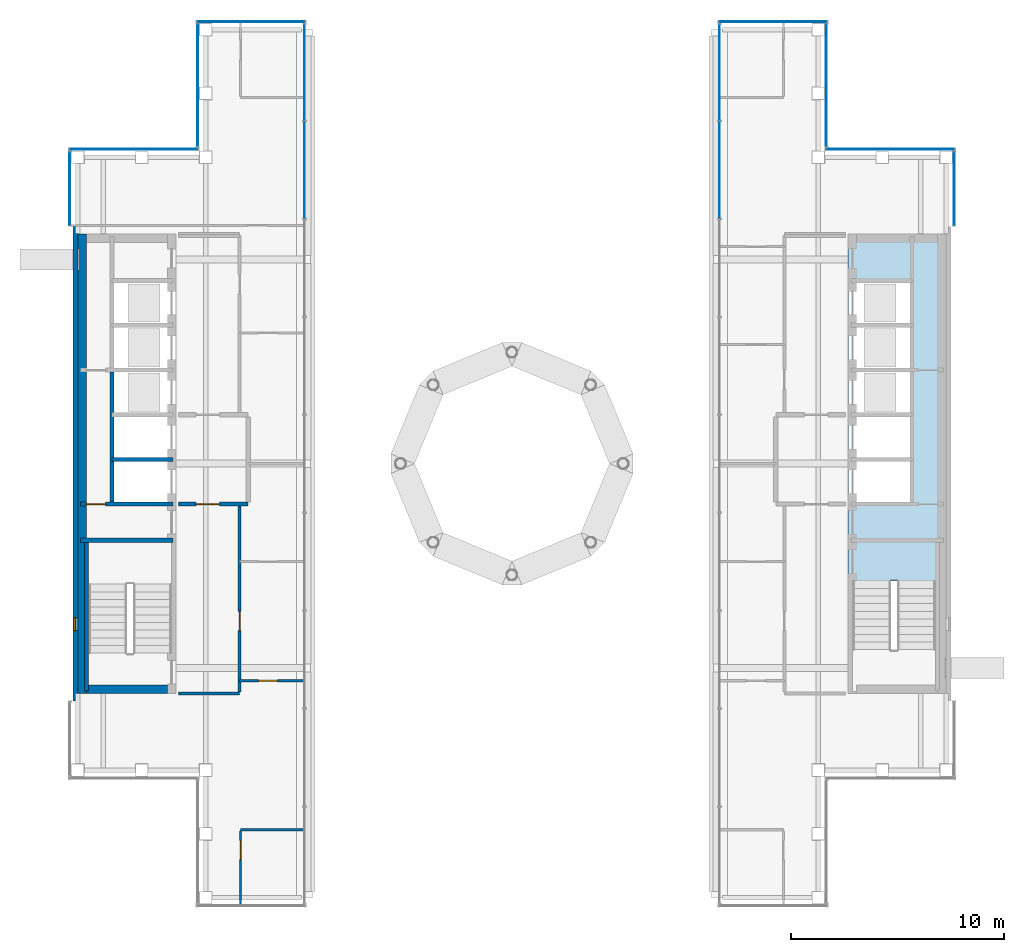
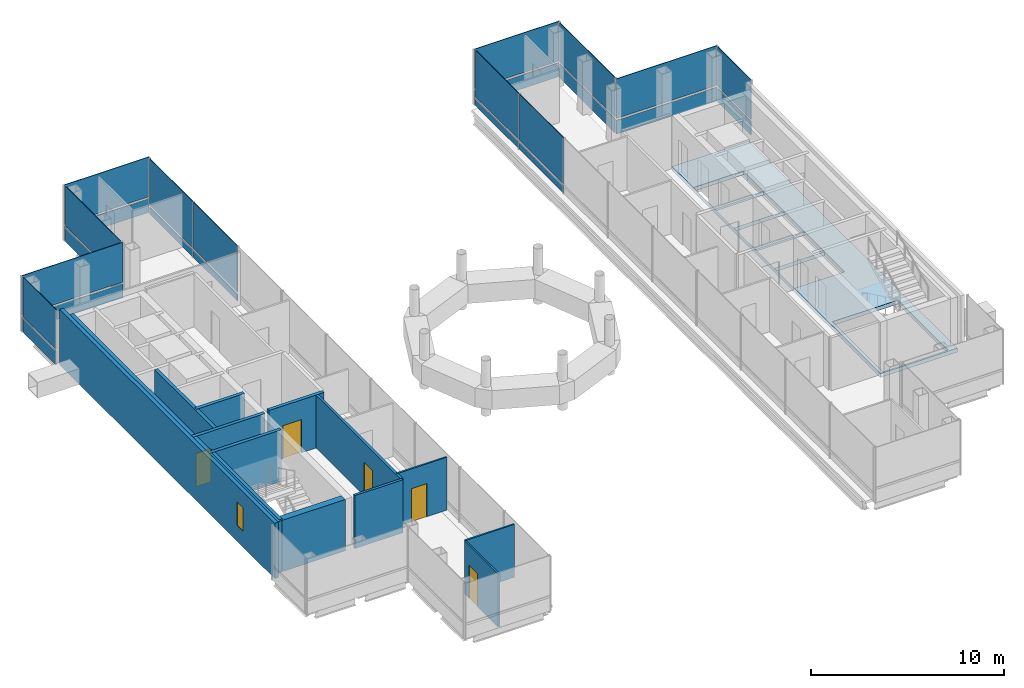
# One storey, part 16 of 21: 24 plates, 14 walls, 5 doors, 1 slab, 1 window, 6 openings, 10 elements without a shape of their own.
"""IFC4 building model written with IfcOpenShell, lengths in metres."""

from ifc_helpers import new_model, si_unit, direction, frame, frame_2d, origin, origin_2d, place, context, subcontext, project, spatial, polyline, rectangle, outline, extrude, material, layer, layer_set, type_object, element, fill, aggregate, save


model = new_model("IFC4")

# Units and contexts
model_context = context("Model", 3, precision=1e-05, world=origin(), true_north=direction((0.0, 1.0)))
body_context = subcontext(model_context, "Body", "Model", "MODEL_VIEW")
ifc_project = project(units=[si_unit("LENGTHUNIT", "METRE"), si_unit("AREAUNIT", "SQUARE_METRE"), si_unit("VOLUMEUNIT", "CUBIC_METRE"), si_unit("PLANEANGLEUNIT", "RADIAN"), si_unit("MASSUNIT", "GRAM", prefix="KILO")], contexts=[model_context])

# Site, building, storey
site_placement = place(None, origin())
site = spatial("IfcSite", under=ifc_project, at=site_placement, CompositionType="ELEMENT")
building_placement = place(site_placement, origin())
building = spatial("IfcBuilding", under=site, at=building_placement, Name="Cobrizo Arcos Hotel Tower", CompositionType="ELEMENT")
storey_placement = place(building_placement, frame((0.0, 0.0, 279.5)))
storey = spatial("IfcBuildingStorey", under=building, at=storey_placement, Name="L74", CompositionType="ELEMENT", Elevation=279.5)

# Curtain wall, plate
ifc_material_1 = material(Name="Aluminium 6063-T6 anodised bronze", Category="aluminium")
curtain_wall_type_1 = type_object("IfcCurtainWallType", Name="CW-A guest facade", PredefinedType="NOTDEFINED", material=ifc_material_1)
curtain_wall_1_placement = place(storey_placement, origin())
curtain_wall_1 = element("IfcCurtainWall", 1, at=curtain_wall_1_placement, inside=storey, type_object=curtain_wall_type_1, Name="CW-A L74 N face", PredefinedType="NOTDEFINED")
ifc_material_2 = material(Name="Glass clear laminated low-e", Category="glass")
ifc_layer_1 = layer(ifc_material_2, 0.0400390625)
ifc_layer_set_1 = layer_set([ifc_layer_1], Name="CW-A glass panel")
plate_type_1 = type_object("IfcPlateType", Name="CW-A glass panel", PredefinedType="CURTAIN_PANEL", material=ifc_layer_set_1)
plate_1_placement = place(storey_placement, frame((12.263916015625, 20.77490234375, 0.990234375), z_axis=(0.0, 0.0, 1.0), x_axis=(-1.0, 0.0, 0.0)))
plate_1 = element("IfcPlate", 2, at=plate_1_placement, type_object=plate_type_1, Name="CW-A glass panel 2324", PredefinedType="CURTAIN_PANEL", context=body_context, shape_type="SweptSolid", body=[
    extrude(rectangle(XDim=5.05224609375, YDim=0.0400390625, at=origin_2d()), origin(), (0.0, 0.0, 1.0), 2.510009765625),
])

curtain_wall_2_placement = place(storey_placement, origin())
curtain_wall_2 = element("IfcCurtainWall", 3, at=curtain_wall_2_placement, inside=storey, type_object=curtain_wall_type_1, Name="CW-A L74 E face", PredefinedType="NOTDEFINED")
plate_2_placement = place(storey_placement, frame((20.77490234375, 12.925048828125, 0.990234375), z_axis=(0.0, 0.0, 1.0), x_axis=(0.0, 1.0, 0.0)))
plate_2 = element("IfcPlate", 4, at=plate_2_placement, type_object=plate_type_1, Name="CW-A glass panel 2338", PredefinedType="CURTAIN_PANEL", context=body_context, shape_type="SweptSolid", body=[
    extrude(rectangle(XDim=3.429931640625, YDim=0.0400390625, at=origin_2d()), origin(), (0.0, 0.0, 1.0), 2.510009765625),
])

curtain_wall_3_placement = place(storey_placement, origin())
curtain_wall_3 = element("IfcCurtainWall", 5, at=curtain_wall_3_placement, inside=storey, type_object=curtain_wall_type_1, Name="CW-A L74 N face", PredefinedType="NOTDEFINED")
plate_3_placement = place(storey_placement, frame((17.77490234375, 14.77490234375, 0.990234375), z_axis=(0.0, 0.0, 1.0), x_axis=(-1.0, 0.0, 0.0)))
plate_3 = element("IfcPlate", 6, at=plate_3_placement, type_object=plate_type_1, Name="CW-A glass panel 2339", PredefinedType="CURTAIN_PANEL", context=body_context, shape_type="SweptSolid", body=[
    extrude(rectangle(XDim=6.030029296875, YDim=0.0400390625, at=origin_2d()), origin(), (0.0, 0.0, 1.0), 2.510009765625),
])

curtain_wall_4_placement = place(storey_placement, origin())
curtain_wall_4 = element("IfcCurtainWall", 7, at=curtain_wall_4_placement, inside=storey, type_object=curtain_wall_type_1, Name="CW-A L74 E face", PredefinedType="NOTDEFINED")
plate_4_placement = place(storey_placement, frame((14.77490234375, 17.77490234375, 0.990234375), z_axis=(0.0, 0.0, 1.0), x_axis=(0.0, 1.0, 0.0)))
plate_4 = element("IfcPlate", 8, at=plate_4_placement, type_object=plate_type_1, Name="CW-A glass panel 2340", PredefinedType="CURTAIN_PANEL", context=body_context, shape_type="SweptSolid", body=[
    extrude(rectangle(XDim=5.72998046875, YDim=0.0400390625, at=origin_2d()), origin(), (0.0, 0.0, 1.0), 2.510009765625),
])

curtain_wall_5_placement = place(storey_placement, origin())
curtain_wall_5 = element("IfcCurtainWall", 9, at=curtain_wall_5_placement, inside=storey, type_object=curtain_wall_type_1, Name="CW-A L74 N face", PredefinedType="NOTDEFINED")
plate_5_placement = place(storey_placement, frame((-12.263916015625, 20.77490234375, 0.990234375), z_axis=(0.0, 0.0, 1.0), x_axis=(-1.0, 0.0, 0.0)))
plate_5 = element("IfcPlate", 10, at=plate_5_placement, type_object=plate_type_1, Name="CW-A glass panel 2351", PredefinedType="CURTAIN_PANEL", context=body_context, shape_type="SweptSolid", body=[
    extrude(rectangle(XDim=5.05224609375, YDim=0.0400390625, at=origin_2d()), origin(), (0.0, 0.0, 1.0), 2.510009765625),
])

curtain_wall_6_placement = place(storey_placement, origin())
curtain_wall_6 = element("IfcCurtainWall", 11, at=curtain_wall_6_placement, inside=storey, type_object=curtain_wall_type_1, Name="CW-A L74 W face", PredefinedType="NOTDEFINED")
plate_6_placement = place(storey_placement, frame((-14.77490234375, 17.77490234375, 0.990234375), z_axis=(0.0, 0.0, 1.0), x_axis=(0.0, -1.0, 0.0)))
plate_6 = element("IfcPlate", 12, at=plate_6_placement, type_object=plate_type_1, Name="CW-A glass panel 2352", PredefinedType="CURTAIN_PANEL", context=body_context, shape_type="SweptSolid", body=[
    extrude(rectangle(XDim=5.72998046875, YDim=0.0400390625, at=origin_2d()), origin(), (0.0, 0.0, 1.0), 2.510009765625),
])

curtain_wall_7_placement = place(storey_placement, origin())
curtain_wall_7 = element("IfcCurtainWall", 13, at=curtain_wall_7_placement, inside=storey, type_object=curtain_wall_type_1, Name="CW-A L74 N face", PredefinedType="NOTDEFINED")
plate_7_placement = place(storey_placement, frame((-17.77490234375, 14.77490234375, 0.990234375), z_axis=(0.0, 0.0, 1.0), x_axis=(-1.0, 0.0, 0.0)))
plate_7 = element("IfcPlate", 14, at=plate_7_placement, type_object=plate_type_1, Name="CW-A glass panel 2353", PredefinedType="CURTAIN_PANEL", context=body_context, shape_type="SweptSolid", body=[
    extrude(rectangle(XDim=6.030029296875, YDim=0.0400390625, at=origin_2d()), origin(), (0.0, 0.0, 1.0), 2.510009765625),
])

curtain_wall_8_placement = place(storey_placement, origin())
curtain_wall_8 = element("IfcCurtainWall", 15, at=curtain_wall_8_placement, inside=storey, type_object=curtain_wall_type_1, Name="CW-A L74 W face", PredefinedType="NOTDEFINED")
plate_8_placement = place(storey_placement, frame((-20.77490234375, 12.925048828125, 0.990234375), z_axis=(0.0, 0.0, 1.0), x_axis=(0.0, -1.0, 0.0)))
plate_8 = element("IfcPlate", 16, at=plate_8_placement, type_object=plate_type_1, Name="CW-A glass panel 2354", PredefinedType="CURTAIN_PANEL", context=body_context, shape_type="SweptSolid", body=[
    extrude(rectangle(XDim=3.429931640625, YDim=0.0400390625, at=origin_2d()), origin(), (0.0, 0.0, 1.0), 2.510009765625),
])

# Plate
ifc_material_3 = material(Name="Aluminium composite panel pale metal", Category="aluminium")
ifc_layer_2 = layer(ifc_material_3, 0.0400390625)
ifc_layer_set_2 = layer_set([ifc_layer_2], Name="CW-A spandrel panel")
plate_type_2 = type_object("IfcPlateType", Name="CW-A spandrel panel", PredefinedType="CURTAIN_PANEL", material=ifc_layer_set_2)
plate_9_placement = place(storey_placement, frame((12.263916015625, 20.77490234375, 0.0), z_axis=(0.0, 0.0, 1.0), x_axis=(-1.0, 0.0, 0.0)))
plate_9 = element("IfcPlate", 17, at=plate_9_placement, type_object=plate_type_2, Name="CW-A spandrel panel 2324", PredefinedType="CURTAIN_PANEL", context=body_context, shape_type="SweptSolid", body=[
    extrude(rectangle(XDim=5.05224609375, YDim=0.0400390625, at=origin_2d()), origin(), (0.0, 0.0, 1.0), 0.8701171875),
])

aggregate(curtain_wall_1, [plate_9, plate_1])

plate_10_placement = place(storey_placement, frame((20.77490234375, 12.925048828125, 0.0), z_axis=(0.0, 0.0, 1.0), x_axis=(0.0, 1.0, 0.0)))
plate_10 = element("IfcPlate", 18, at=plate_10_placement, type_object=plate_type_2, Name="CW-A spandrel panel 2338", PredefinedType="CURTAIN_PANEL", context=body_context, shape_type="SweptSolid", body=[
    extrude(rectangle(XDim=3.429931640625, YDim=0.0400390625, at=origin_2d()), origin(), (0.0, 0.0, 1.0), 0.8701171875),
])

aggregate(curtain_wall_2, [plate_10, plate_2])

plate_11_placement = place(storey_placement, frame((17.77490234375, 14.77490234375, 0.0), z_axis=(0.0, 0.0, 1.0), x_axis=(-1.0, 0.0, 0.0)))
plate_11 = element("IfcPlate", 19, at=plate_11_placement, type_object=plate_type_2, Name="CW-A spandrel panel 2339", PredefinedType="CURTAIN_PANEL", context=body_context, shape_type="SweptSolid", body=[
    extrude(rectangle(XDim=6.030029296875, YDim=0.0400390625, at=origin_2d()), origin(), (0.0, 0.0, 1.0), 0.8701171875),
])

aggregate(curtain_wall_3, [plate_11, plate_3])

plate_12_placement = place(storey_placement, frame((14.77490234375, 17.77490234375, 0.0), z_axis=(0.0, 0.0, 1.0), x_axis=(0.0, 1.0, 0.0)))
plate_12 = element("IfcPlate", 20, at=plate_12_placement, type_object=plate_type_2, Name="CW-A spandrel panel 2340", PredefinedType="CURTAIN_PANEL", context=body_context, shape_type="SweptSolid", body=[
    extrude(rectangle(XDim=5.72998046875, YDim=0.0400390625, at=origin_2d()), origin(), (0.0, 0.0, 1.0), 0.8701171875),
])

aggregate(curtain_wall_4, [plate_12, plate_4])

plate_13_placement = place(storey_placement, frame((-12.263916015625, 20.77490234375, 0.0), z_axis=(0.0, 0.0, 1.0), x_axis=(-1.0, 0.0, 0.0)))
plate_13 = element("IfcPlate", 21, at=plate_13_placement, type_object=plate_type_2, Name="CW-A spandrel panel 2351", PredefinedType="CURTAIN_PANEL", context=body_context, shape_type="SweptSolid", body=[
    extrude(rectangle(XDim=5.05224609375, YDim=0.0400390625, at=origin_2d()), origin(), (0.0, 0.0, 1.0), 0.8701171875),
])

aggregate(curtain_wall_5, [plate_13, plate_5])

plate_14_placement = place(storey_placement, frame((-14.77490234375, 17.77490234375, 0.0), z_axis=(0.0, 0.0, 1.0), x_axis=(0.0, -1.0, 0.0)))
plate_14 = element("IfcPlate", 22, at=plate_14_placement, type_object=plate_type_2, Name="CW-A spandrel panel 2352", PredefinedType="CURTAIN_PANEL", context=body_context, shape_type="SweptSolid", body=[
    extrude(rectangle(XDim=5.72998046875, YDim=0.0400390625, at=origin_2d()), origin(), (0.0, 0.0, 1.0), 0.8701171875),
])

aggregate(curtain_wall_6, [plate_14, plate_6])

plate_15_placement = place(storey_placement, frame((-17.77490234375, 14.77490234375, 0.0), z_axis=(0.0, 0.0, 1.0), x_axis=(-1.0, 0.0, 0.0)))
plate_15 = element("IfcPlate", 23, at=plate_15_placement, type_object=plate_type_2, Name="CW-A spandrel panel 2353", PredefinedType="CURTAIN_PANEL", context=body_context, shape_type="SweptSolid", body=[
    extrude(rectangle(XDim=6.030029296875, YDim=0.0400390625, at=origin_2d()), origin(), (0.0, 0.0, 1.0), 0.8701171875),
])

aggregate(curtain_wall_7, [plate_15, plate_7])

plate_16_placement = place(storey_placement, frame((-20.77490234375, 12.925048828125, 0.0), z_axis=(0.0, 0.0, 1.0), x_axis=(0.0, -1.0, 0.0)))
plate_16 = element("IfcPlate", 24, at=plate_16_placement, type_object=plate_type_2, Name="CW-A spandrel panel 2354", PredefinedType="CURTAIN_PANEL", context=body_context, shape_type="SweptSolid", body=[
    extrude(rectangle(XDim=3.429931640625, YDim=0.0400390625, at=origin_2d()), origin(), (0.0, 0.0, 1.0), 0.8701171875),
])

aggregate(curtain_wall_8, [plate_16, plate_8])

# Curtain wall, plates
curtain_wall_type_2 = type_object("IfcCurtainWallType", Name="CW-C arch infill and crown glazing", PredefinedType="NOTDEFINED", material=ifc_material_1)
curtain_wall_9_placement = place(storey_placement, origin())
curtain_wall_9 = element("IfcCurtainWall", 25, at=curtain_wall_9_placement, inside=storey, type_object=curtain_wall_type_2, Name="CW-C L74 W face", PredefinedType="NOTDEFINED")
ifc_layer_3 = layer(ifc_material_2, 0.0400390625)
ifc_layer_set_3 = layer_set([ifc_layer_3], Name="CW-C glass panel")
plate_type_3 = type_object("IfcPlateType", Name="CW-C glass panel", PredefinedType="CURTAIN_PANEL", material=ifc_layer_set_3)
plate_17_placement = place(storey_placement, frame((9.7529296875, 18.382568359375, 0.0), z_axis=(0.0, 0.0, 1.0), x_axis=(0.0, -1.0, 0.0)))
plate_17 = element("IfcPlate", 26, at=plate_17_placement, type_object=plate_type_3, Name="CW-C glass panel 2325", PredefinedType="CURTAIN_PANEL", context=body_context, shape_type="SweptSolid", body=[
    extrude(rectangle(XDim=4.4951171875, YDim=0.0400390625, at=origin_2d()), origin(), (0.0, 0.0, 1.0), 0.429931640625),
])
plate_18_placement = place(storey_placement, frame((9.7529296875, 18.382568359375, 0.56982421875), z_axis=(0.0, 0.0, 1.0), x_axis=(0.0, -1.0, 0.0)))
plate_18 = element("IfcPlate", 27, at=plate_18_placement, type_object=plate_type_3, Name="CW-C glass panel 2325", PredefinedType="CURTAIN_PANEL", context=body_context, shape_type="SweptSolid", body=[
    extrude(rectangle(XDim=4.4951171875, YDim=0.0400390625, at=origin_2d()), origin(), (0.0, 0.0, 1.0), 2.929931640625),
])
plate_19_placement = place(storey_placement, frame((9.7529296875, 13.800048828125, 0.0), z_axis=(0.0, 0.0, 1.0), x_axis=(0.0, -1.0, 0.0)))
plate_19 = element("IfcPlate", 28, at=plate_19_placement, type_object=plate_type_3, Name="CW-C glass panel 2326", PredefinedType="CURTAIN_PANEL", context=body_context, shape_type="SweptSolid", body=[
    extrude(rectangle(XDim=4.530029296875, YDim=0.0400390625, at=origin_2d()), origin(), (0.0, 0.0, 1.0), 0.429931640625),
])
plate_20_placement = place(storey_placement, frame((9.7529296875, 13.800048828125, 0.56982421875), z_axis=(0.0, 0.0, 1.0), x_axis=(0.0, -1.0, 0.0)))
plate_20 = element("IfcPlate", 29, at=plate_20_placement, type_object=plate_type_3, Name="CW-C glass panel 2326", PredefinedType="CURTAIN_PANEL", context=body_context, shape_type="SweptSolid", body=[
    extrude(rectangle(XDim=4.530029296875, YDim=0.0400390625, at=origin_2d()), origin(), (0.0, 0.0, 1.0), 2.929931640625),
])
aggregate(curtain_wall_9, [plate_17, plate_18, plate_19, plate_20])

curtain_wall_10_placement = place(storey_placement, origin())
curtain_wall_10 = element("IfcCurtainWall", 30, at=curtain_wall_10_placement, inside=storey, type_object=curtain_wall_type_2, Name="CW-C L74 E face", PredefinedType="NOTDEFINED")
plate_21_placement = place(storey_placement, frame((-9.7529296875, 13.800048828125, 0.0), z_axis=(0.0, 0.0, 1.0), x_axis=(0.0, 1.0, 0.0)))
plate_21 = element("IfcPlate", 31, at=plate_21_placement, type_object=plate_type_3, Name="CW-C glass panel 2349", PredefinedType="CURTAIN_PANEL", context=body_context, shape_type="SweptSolid", body=[
    extrude(rectangle(XDim=4.530029296875, YDim=0.0400390625, at=origin_2d()), origin(), (0.0, 0.0, 1.0), 0.429931640625),
])
plate_22_placement = place(storey_placement, frame((-9.7529296875, 13.800048828125, 0.56982421875), z_axis=(0.0, 0.0, 1.0), x_axis=(0.0, 1.0, 0.0)))
plate_22 = element("IfcPlate", 32, at=plate_22_placement, type_object=plate_type_3, Name="CW-C glass panel 2349", PredefinedType="CURTAIN_PANEL", context=body_context, shape_type="SweptSolid", body=[
    extrude(rectangle(XDim=4.530029296875, YDim=0.0400390625, at=origin_2d()), origin(), (0.0, 0.0, 1.0), 2.929931640625),
])
plate_23_placement = place(storey_placement, frame((-9.7529296875, 18.382568359375, 0.0), z_axis=(0.0, 0.0, 1.0), x_axis=(0.0, 1.0, 0.0)))
plate_23 = element("IfcPlate", 33, at=plate_23_placement, type_object=plate_type_3, Name="CW-C glass panel 2350", PredefinedType="CURTAIN_PANEL", context=body_context, shape_type="SweptSolid", body=[
    extrude(rectangle(XDim=4.4951171875, YDim=0.0400390625, at=origin_2d()), origin(), (0.0, 0.0, 1.0), 0.429931640625),
])
plate_24_placement = place(storey_placement, frame((-9.7529296875, 18.382568359375, 0.56982421875), z_axis=(0.0, 0.0, 1.0), x_axis=(0.0, 1.0, 0.0)))
plate_24 = element("IfcPlate", 34, at=plate_24_placement, type_object=plate_type_3, Name="CW-C glass panel 2350", PredefinedType="CURTAIN_PANEL", context=body_context, shape_type="SweptSolid", body=[
    extrude(rectangle(XDim=4.4951171875, YDim=0.0400390625, at=origin_2d()), origin(), (0.0, 0.0, 1.0), 2.929931640625),
])
aggregate(curtain_wall_10, [plate_21, plate_22, plate_23, plate_24])

# Slab
ifc_material_4 = material(Name="Concrete f'c 40 MPa", Category="concrete")
ifc_layer_4 = layer(ifc_material_4, 0.25)
ifc_layer_set_4 = layer_set([ifc_layer_4], Name="RC core floor slab 250 f'c 40")
slab_type = type_object("IfcSlabType", Name="RC core floor slab 250 f'c 40", PredefinedType="FLOOR", material=ifc_layer_set_4)
slab_placement = place(storey_placement, frame((0.0, 0.0, -0.25)))
element("IfcSlab", 35, at=slab_placement, inside=storey, type_object=slab_type, Name="Core floor slab CS7, east core, L74", PredefinedType="FLOOR", context=body_context, shape_type="SweptSolid", body=[
    extrude(outline(polyline([(15.800048828125, 10.800048828125), (20.39990234375, 10.800048828125), (20.39990234375, -10.800048828125), (15.800048828125, -10.800048828125), (15.800048828125, 10.800048828125)]), holes=[polyline([(19.89794921875, -10.697998046875), (19.89794921875, -5.501953125), (16.001953125, -5.501953125), (16.001953125, -10.697998046875), (19.89794921875, -10.697998046875)]), polyline([(15.802001953125, 0.197998046875), (15.802001953125, -1.89794921875), (18.798095703125, -1.89794921875), (18.798095703125, 0.197998046875), (15.802001953125, 0.197998046875)]), polyline([(15.802001953125, 2.298095703125), (15.802001953125, 0.201904296875), (18.798095703125, 0.201904296875), (18.798095703125, 2.298095703125), (15.802001953125, 2.298095703125)]), polyline([(15.802001953125, 4.39794921875), (15.802001953125, 2.302001953125), (18.798095703125, 2.302001953125), (18.798095703125, 4.39794921875), (15.802001953125, 4.39794921875)]), polyline([(18.798095703125, 6.498046875), (15.802001953125, 6.498046875), (15.802001953125, 4.402099609375), (18.798095703125, 4.402099609375), (18.798095703125, 6.498046875)]), polyline([(18.798095703125, 8.597900390625), (15.802001953125, 8.597900390625), (15.802001953125, 6.501953125), (18.798095703125, 6.501953125), (18.798095703125, 8.597900390625)])]), origin(), (0.0, 0.0, 1.0), 0.25),
])

# Wall
ifc_material_5 = material(Name="Gypsum board partition")
ifc_layer_5 = layer(ifc_material_5, 0.14990234375)
ifc_layer_set_5 = layer_set([ifc_layer_5], Name="Corridor wall EI 60 150")
wall_type_1 = type_object("IfcWallType", Name="Corridor wall EI 60 150", PredefinedType="PARTITIONING", material=ifc_layer_set_5)
wall_1_placement = place(storey_placement, frame((-15.679931640625, -10.800048828125, 0.0), z_axis=(0.0, 0.0, 1.0), x_axis=(1.0, 0.0, 0.0)))
element("IfcWall", 36, at=wall_1_placement, inside=storey, type_object=wall_type_1, Name="Partition 003", PredefinedType="PARTITIONING", context=body_context, shape_type="SweptSolid", body=[
    extrude(rectangle(XDim=2.8798828125, YDim=0.14990234375, at=frame_2d((1.43994140625, 0.0))), origin(), (0.0, 0.0, 1.0), 3.35009765625),
])

# Wall, opening, door
wall_2_placement = place(storey_placement, frame((-12.800048828125, -10.72509765625, 0.0), z_axis=(0.0, 0.0, 1.0), x_axis=(0.0, 1.0, 0.0)))
wall_2 = element("IfcWall", 37, at=wall_2_placement, inside=storey, type_object=wall_type_1, Name="Partition 042", PredefinedType="PARTITIONING", context=body_context, shape_type="SweptSolid", body=[
    extrude(rectangle(XDim=8.72509765625, YDim=0.14990234375, at=frame_2d((4.362548828125, 0.0))), origin(), (0.0, 0.0, 1.0), 3.35009765625),
])
opening_1_placement = place(wall_2_placement, frame((2.8798828125, 0.0, 0.0)))
opening_1 = element("IfcOpeningElement", 38, at=opening_1_placement, cuts=wall_2, Name="Opening RD-16", PredefinedType="OPENING", context=body_context, shape_type="SweptSolid", body=[
    extrude(rectangle(XDim=0.89990234375, YDim=2.10009765625, at=frame_2d((0.449951171875, 1.050048828125))), frame((0.0, 0.0869140625, 0.0), z_axis=(0.0, -1.0, 0.0), x_axis=(1.0, 0.0, 0.0)), (0.0, 0.0, 1.0), 0.173828125),
])
ifc_material_6 = material(Name="Timber door leaf", Category="wood")
door_type_1 = type_object("IfcDoorType", Name="Room door FD30 900x2100", OperationType="SINGLE_SWING_LEFT", PredefinedType="DOOR", material=ifc_material_6)
door_1_placement = place(opening_1_placement, origin())
door_1 = element("IfcDoor", 39, at=door_1_placement, inside=storey, type_object=door_type_1, Name="Door RD-16", OperationType="SINGLE_SWING_RIGHT", OverallHeight=2.10009765625, OverallWidth=0.89990234375, PredefinedType="DOOR", context=body_context, shape_type="SweptSolid", body=[
    extrude(rectangle(XDim=0.89990234375, YDim=2.10009765625, at=frame_2d((0.449951171875, 1.050048828125))), frame((0.0, 0.02490234375, 0.0), z_axis=(0.0, -1.0, 0.0), x_axis=(1.0, 0.0, 0.0)), (0.0, 0.0, 1.0), 0.050048828125),
])
fill(opening_1, door_1)

# Wall, opening, window
ifc_layer_6 = layer(ifc_material_3, 0.22509765625)
ifc_layer_set_6 = layer_set([ifc_layer_6], Name="EW-1 insulated panel wall 225")
wall_type_2 = type_object("IfcWallType", Name="EW-1 insulated panel wall 225", PredefinedType="SOLIDWALL", material=ifc_layer_set_6)
wall_3_placement = place(storey_placement, frame((-20.512451171875, 11.14990234375, 0.0), z_axis=(0.0, 0.0, 1.0), x_axis=(0.0, -1.0, 0.0)))
wall_3 = element("IfcWall", 40, at=wall_3_placement, inside=storey, type_object=wall_type_2, Name="Core face wall L74 W", PredefinedType="SOLIDWALL", context=body_context, shape_type="SweptSolid", body=[
    extrude(rectangle(XDim=22.2998046875, YDim=0.22509765625, at=frame_2d((11.14990234375, 0.0))), origin(), (0.0, 0.0, 1.0), 3.5),
])
opening_2_placement = place(wall_3_placement, frame((18.39990234375, 0.0, 1.0)))
opening_2 = element("IfcOpeningElement", 41, at=opening_2_placement, cuts=wall_3, Name="Opening W-168", PredefinedType="OPENING", context=body_context, shape_type="SweptSolid", body=[
    extrude(rectangle(XDim=0.60009765625, YDim=1.5, at=frame_2d((0.300048828125, 0.75))), frame((0.0, 0.12451171875, 0.0), z_axis=(0.0, -1.0, 0.0), x_axis=(1.0, 0.0, 0.0)), (0.0, 0.0, 1.0), 0.2490234375),
])
ifc_material_7 = material(Name="Aluminium 6063-T6 and clear laminated glass", Category="aluminium")
window_type = type_object("IfcWindowType", Name="W-C1 core stair slot window 600x1500", PartitioningType="SINGLE_PANEL", PredefinedType="WINDOW", material=ifc_material_7)
window_placement = place(opening_2_placement, origin())
window = element("IfcWindow", 42, at=window_placement, inside=storey, type_object=window_type, Name="Core face wall L74 W window W-168", OverallHeight=1.5, OverallWidth=0.60009765625, PartitioningType="SINGLE_PANEL", PredefinedType="WINDOW", context=body_context, shape_type="SweptSolid", body=[
    extrude(rectangle(XDim=0.60009765625, YDim=1.5, at=frame_2d((0.300048828125, 0.75))), frame((0.0, -0.0224609375, 0.0), z_axis=(0.0, -1.0, 0.0), x_axis=(1.0, 0.0, 0.0)), (0.0, 0.0, 1.0), 0.06005859375),
])
fill(opening_2, window)

# Wall
ifc_layer_7 = layer(ifc_material_5, 0.10009765625)
ifc_layer_set_7 = layer_set([ifc_layer_7], Name="Partition EI 30 100")
wall_type_3 = type_object("IfcWallType", Name="Partition EI 30 100", PredefinedType="PARTITIONING", material=ifc_layer_set_7)
wall_4_placement = place(storey_placement, frame((-12.75, -17.199951171875, 0.0), z_axis=(0.0, 0.0, 1.0), x_axis=(1.0, 0.0, 0.0)))
element("IfcWall", 43, at=wall_4_placement, inside=storey, type_object=wall_type_3, Name="Partition 001", PredefinedType="PARTITIONING", context=body_context, shape_type="SweptSolid", body=[
    extrude(rectangle(XDim=2.951904296875, YDim=0.10009765625, at=frame_2d((1.47607421875, 0.0))), origin(), (0.0, 0.0, 1.0), 3.35009765625),
])

# Wall, opening, door
wall_5_placement = place(storey_placement, frame((-12.800048828125, -10.199951171875, 0.0), z_axis=(0.0, 0.0, 1.0), x_axis=(1.0, 0.0, 0.0)))
wall_5 = element("IfcWall", 44, at=wall_5_placement, inside=storey, type_object=wall_type_3, Name="Partition 005", PredefinedType="PARTITIONING", context=body_context, shape_type="SweptSolid", body=[
    extrude(rectangle(XDim=3.001953125, YDim=0.10009765625, at=frame_2d((1.5009765625, 0.0))), origin(), (0.0, 0.0, 1.0), 3.35009765625),
])
opening_3_placement = place(wall_5_placement, frame((0.885986328125, 0.0, 0.0)))
opening_3 = element("IfcOpeningElement", 45, at=opening_3_placement, cuts=wall_5, Name="Opening RD-18", PredefinedType="OPENING", context=body_context, shape_type="SweptSolid", body=[
    extrude(rectangle(XDim=0.89990234375, YDim=2.10009765625, at=frame_2d((0.449951171875, 1.050048828125))), frame((0.0, 0.06201171875, 0.0), z_axis=(0.0, -1.0, 0.0), x_axis=(1.0, 0.0, 0.0)), (0.0, 0.0, 1.0), 0.1240234375),
])
door_2_placement = place(opening_3_placement, origin())
door_2 = element("IfcDoor", 46, at=door_2_placement, inside=storey, type_object=door_type_1, Name="Door RD-18", OperationType="SINGLE_SWING_RIGHT", OverallHeight=2.10009765625, OverallWidth=0.89990234375, PredefinedType="DOOR", context=body_context, shape_type="SweptSolid", body=[
    extrude(rectangle(XDim=0.89990234375, YDim=2.10009765625, at=frame_2d((0.449951171875, 1.050048828125))), frame((0.0, 0.02490234375, 0.0), z_axis=(0.0, -1.0, 0.0), x_axis=(1.0, 0.0, 0.0)), (0.0, 0.0, 1.0), 0.050048828125),
])
fill(opening_3, door_2)

wall_6_placement = place(storey_placement, frame((-12.75, -20.72998046875, 0.0), z_axis=(0.0, 0.0, 1.0), x_axis=(0.0, 1.0, 0.0)))
wall_6 = element("IfcWall", 47, at=wall_6_placement, inside=storey, type_object=wall_type_3, Name="Partition 044", PredefinedType="PARTITIONING", context=body_context, shape_type="SweptSolid", body=[
    extrude(rectangle(XDim=3.47998046875, YDim=0.10009765625, at=frame_2d((1.739990234375, 0.0))), origin(), (0.0, 0.0, 1.0), 3.35009765625),
])
opening_4_placement = place(wall_6_placement, frame((2.1201171875, 0.0, 0.0)))
opening_4 = element("IfcOpeningElement", 48, at=opening_4_placement, cuts=wall_6, Name="Opening ED-04", PredefinedType="OPENING", context=body_context, shape_type="SweptSolid", body=[
    extrude(rectangle(XDim=0.89990234375, YDim=2.10009765625, at=frame_2d((0.449951171875, 1.050048828125))), frame((0.0, 0.06201171875, 0.0), z_axis=(0.0, -1.0, 0.0), x_axis=(1.0, 0.0, 0.0)), (0.0, 0.0, 1.0), 0.1240234375),
])
door_type_2 = type_object("IfcDoorType", Name="En-suite door 900x2100", OperationType="SINGLE_SWING_LEFT", PredefinedType="DOOR", material=ifc_material_6)
door_3_placement = place(opening_4_placement, origin())
door_3 = element("IfcDoor", 49, at=door_3_placement, inside=storey, type_object=door_type_2, Name="Door ED-04", OperationType="SINGLE_SWING_RIGHT", OverallHeight=2.10009765625, OverallWidth=0.89990234375, PredefinedType="DOOR", context=body_context, shape_type="SweptSolid", body=[
    extrude(rectangle(XDim=0.89990234375, YDim=2.10009765625, at=frame_2d((0.449951171875, 1.050048828125))), frame((0.0, 0.02490234375, 0.0), z_axis=(0.0, -1.0, 0.0), x_axis=(1.0, 0.0, 0.0)), (0.0, 0.0, 1.0), 0.050048828125),
])
fill(opening_4, door_3)

# Walls
ifc_layer_8 = layer(ifc_material_4, 0.39990234375)
ifc_layer_set_8 = layer_set([ifc_layer_8], Name="RC core wall 400 f'c 40")
wall_type_4 = type_object("IfcWallType", Name="RC core wall 400 f'c 40", PredefinedType="SHEAR", material=ifc_layer_set_8)
wall_7_placement = place(storey_placement, frame((-20.199951171875, -10.800048828125, 0.0), z_axis=(0.0, 0.0, 1.0), x_axis=(0.0, 1.0, 0.0)))
element("IfcWall", 50, at=wall_7_placement, inside=storey, type_object=wall_type_4, Name="Core wall CW4, west core, outer face, L74", PredefinedType="SHEAR", context=body_context, shape_type="SweptSolid", body=[
    extrude(rectangle(XDim=21.60009765625, YDim=0.39990234375, at=frame_2d((10.800048828125, 0.0))), origin(), (0.0, 0.0, 1.0), 3.25),
])
wall_8_placement = place(storey_placement, frame((-20.0, -10.60009765625, 0.0), z_axis=(0.0, 0.0, 1.0), x_axis=(1.0, 0.0, 0.0)))
element("IfcWall", 51, at=wall_8_placement, inside=storey, type_object=wall_type_4, Name="Core wall CW4, west core, south end, L74", PredefinedType="SHEAR", context=body_context, shape_type="SweptSolid", body=[
    extrude(rectangle(XDim=3.800048828125, YDim=0.39990234375, at=frame_2d((1.89990234375, 0.0))), origin(), (0.0, 0.0, 1.0), 3.25),
])

# Wall, opening, door
ifc_layer_9 = layer(ifc_material_5, 0.199951171875)
ifc_layer_set_9 = layer_set([ifc_layer_9], Name="Shaft wall EI 120 200")
wall_type_5 = type_object("IfcWallType", Name="Shaft wall EI 120 200", PredefinedType="PARTITIONING", material=ifc_layer_set_9)
wall_9_placement = place(storey_placement, frame((-20.280029296875, -1.89990234375, 0.0), z_axis=(0.0, 0.0, 1.0), x_axis=(1.0, 0.0, 0.0)))
wall_9 = element("IfcWall", 52, at=wall_9_placement, inside=storey, type_object=wall_type_5, Name="Partition 011", PredefinedType="PARTITIONING", context=body_context, shape_type="SweptSolid", body=[
    extrude(rectangle(XDim=4.360107421875, YDim=0.199951171875, at=frame_2d((2.18017578125, 0.0))), origin(), (0.0, 0.0, 1.0), 3.25),
])
opening_5_placement = place(wall_9_placement, frame((0.280029296875, 0.0, 0.0)))
opening_5 = element("IfcOpeningElement", 53, at=opening_5_placement, cuts=wall_9, Name="Opening RD-02", PredefinedType="OPENING", context=body_context, shape_type="SweptSolid", body=[
    extrude(rectangle(XDim=0.89990234375, YDim=2.10009765625, at=frame_2d((0.449951171875, 1.050048828125))), frame((0.0, 0.112060546875, 0.0), z_axis=(0.0, -1.0, 0.0), x_axis=(1.0, 0.0, 0.0)), (0.0, 0.0, 1.0), 0.223876953125),
])
door_4_placement = place(opening_5_placement, origin())
door_4 = element("IfcDoor", 54, at=door_4_placement, inside=storey, type_object=door_type_1, Name="Door RD-02", OperationType="SINGLE_SWING_RIGHT", OverallHeight=2.10009765625, OverallWidth=0.89990234375, PredefinedType="DOOR", context=body_context, shape_type="SweptSolid", body=[
    extrude(rectangle(XDim=0.89990234375, YDim=2.10009765625, at=frame_2d((0.449951171875, 1.050048828125))), frame((0.0, 0.02490234375, 0.0), z_axis=(0.0, -1.0, 0.0), x_axis=(1.0, 0.0, 0.0)), (0.0, 0.0, 1.0), 0.050048828125),
])
fill(opening_5, door_4)

wall_10_placement = place(storey_placement, frame((-15.679931640625, -1.89990234375, 0.0), z_axis=(0.0, 0.0, 1.0), x_axis=(1.0, 0.0, 0.0)))
wall_10 = element("IfcWall", 55, at=wall_10_placement, inside=storey, type_object=wall_type_5, Name="Partition 012", PredefinedType="PARTITIONING", context=body_context, shape_type="SweptSolid", body=[
    extrude(rectangle(XDim=3.280029296875, YDim=0.199951171875, at=frame_2d((1.64013671875, 0.0))), origin(), (0.0, 0.0, 1.0), 3.35009765625),
])
opening_6_placement = place(wall_10_placement, frame((0.840087890625, 0.0, 0.0)))
opening_6 = element("IfcOpeningElement", 56, at=opening_6_placement, cuts=wall_10, Name="Opening FD-03", PredefinedType="OPENING", context=body_context, shape_type="SweptSolid", body=[
    extrude(rectangle(XDim=1.10009765625, YDim=2.10009765625, at=frame_2d((0.550048828125, 1.050048828125))), frame((0.0, 0.112060546875, 0.0), z_axis=(0.0, -1.0, 0.0), x_axis=(1.0, 0.0, 0.0)), (0.0, 0.0, 1.0), 0.223876953125),
])
ifc_material_8 = material(Name="Steel door leaf", Category="steel")
door_type_3 = type_object("IfcDoorType", Name="Fire door FD60 1100x2100", OperationType="SINGLE_SWING_LEFT", PredefinedType="DOOR", material=ifc_material_8)
door_5_placement = place(opening_6_placement, origin())
door_5 = element("IfcDoor", 57, at=door_5_placement, inside=storey, type_object=door_type_3, Name="Door FD-03", OperationType="SINGLE_SWING_RIGHT", OverallHeight=2.10009765625, OverallWidth=1.10009765625, PredefinedType="DOOR", context=body_context, shape_type="SweptSolid", body=[
    extrude(rectangle(XDim=1.10009765625, YDim=2.10009765625, at=frame_2d((0.550048828125, 1.050048828125))), frame((0.0, 0.02490234375, 0.0), z_axis=(0.0, -1.0, 0.0), x_axis=(1.0, 0.0, 0.0)), (0.0, 0.0, 1.0), 0.050048828125),
])
fill(opening_6, door_5)

# Walls
wall_11_placement = place(storey_placement, frame((-18.800048828125, 0.199951171875, 0.0), z_axis=(0.0, 0.0, 1.0), x_axis=(1.0, 0.0, 0.0)))
element("IfcWall", 58, at=wall_11_placement, inside=storey, type_object=wall_type_5, Name="Partition 017", PredefinedType="PARTITIONING", context=body_context, shape_type="SweptSolid", body=[
    extrude(rectangle(XDim=2.880126953125, YDim=0.199951171875, at=frame_2d((1.43994140625, 0.0))), origin(), (0.0, 0.0, 1.0), 3.25),
])
wall_12_placement = place(storey_placement, frame((-18.800048828125, -1.800048828125, 0.0), z_axis=(0.0, 0.0, 1.0), x_axis=(0.0, 1.0, 0.0)))
element("IfcWall", 59, at=wall_12_placement, inside=storey, type_object=wall_type_5, Name="Partition 040", PredefinedType="PARTITIONING", context=body_context, shape_type="SweptSolid", body=[
    extrude(rectangle(XDim=6.10009765625, YDim=0.199951171875, at=frame_2d((3.050048828125, 0.0))), origin(), (0.0, 0.0, 1.0), 3.25),
])
ifc_layer_10 = layer(ifc_material_4, 0.199951171875)
ifc_layer_set_10 = layer_set([ifc_layer_10], Name="Stair shaft wall 200")
wall_type_6 = type_object("IfcWallType", Name="Stair shaft wall 200", PredefinedType="SHEAR", material=ifc_layer_set_10)
wall_13_placement = place(storey_placement, frame((-20.280029296875, -3.60009765625, 0.0), z_axis=(0.0, 0.0, 1.0), x_axis=(1.0, 0.0, 0.0)))
element("IfcWall", 60, at=wall_13_placement, inside=storey, type_object=wall_type_6, Name="Stair shaft wall W", PredefinedType="SHEAR", context=body_context, shape_type="SweptSolid", body=[
    extrude(rectangle(XDim=4.360107421875, YDim=0.199951171875, at=frame_2d((2.18017578125, 0.0))), origin(), (0.0, 0.0, 1.0), 3.25),
])
wall_14_placement = place(storey_placement, frame((-20.0, -10.679931640625, 0.0), z_axis=(0.0, 0.0, 1.0), x_axis=(0.0, 1.0, 0.0)))
element("IfcWall", 61, at=wall_14_placement, inside=storey, type_object=wall_type_6, Name="Stair shaft wall W", PredefinedType="SHEAR", context=body_context, shape_type="SweptSolid", body=[
    extrude(rectangle(XDim=6.97998046875, YDim=0.199951171875, at=frame_2d((3.489990234375, 0.0))), origin(), (0.0, 0.0, 1.0), 3.25),
])

save(model, "model.ifc")
